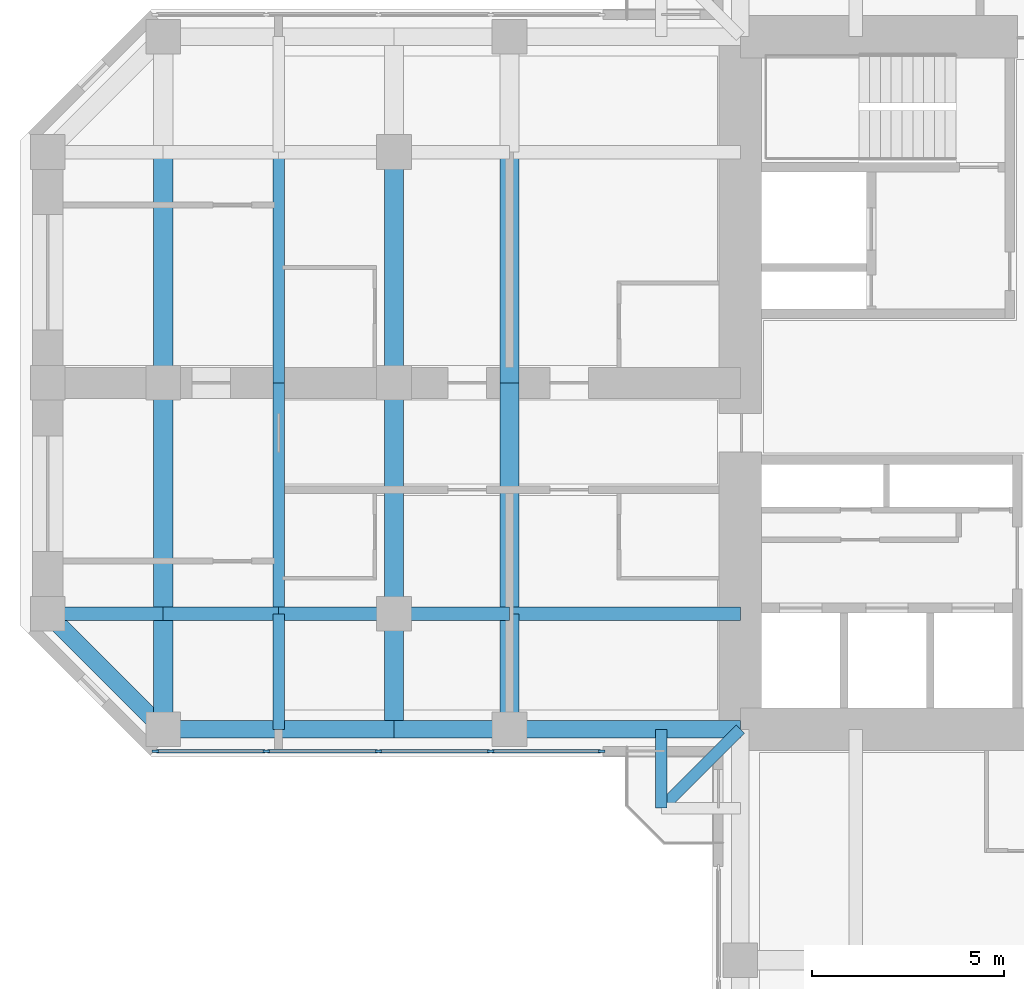
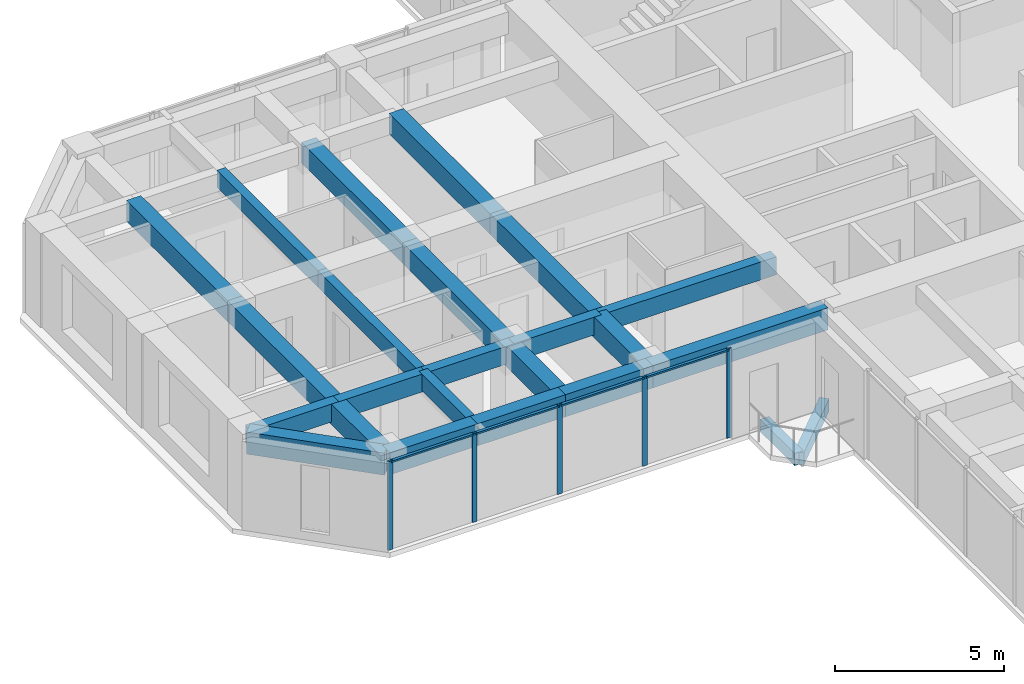
# One storey, part 3 of 13: 24 beams, 9 members, 1 element without a shape of its own.
"""IFC4 building model written with IfcOpenShell, lengths in metres."""

from ifc_helpers import new_model, si_unit, direction, frame, origin, origin_2d, place, context, subcontext, project, spatial, rectangle, extrude, material, material_profile, profile_set, type_object, element, aggregate, save


model = new_model("IFC4")

# Units and contexts
model_context = context("Model", 3, precision=1e-05, world=origin(), true_north=direction((0.0, 1.0)))
body_context = subcontext(model_context, "Body", "Model", "MODEL_VIEW")
ifc_project = project(units=[si_unit("LENGTHUNIT", "METRE"), si_unit("AREAUNIT", "SQUARE_METRE"), si_unit("VOLUMEUNIT", "CUBIC_METRE"), si_unit("PLANEANGLEUNIT", "RADIAN"), si_unit("MASSUNIT", "GRAM", prefix="KILO")], contexts=[model_context])

# Site, building, storey
site_placement = place(None, origin())
site = spatial("IfcSite", under=ifc_project, at=site_placement, CompositionType="ELEMENT")
building_placement = place(site_placement, origin())
building = spatial("IfcBuilding", under=site, at=building_placement, Name="Torre Cruceta", CompositionType="ELEMENT")
storey_placement = place(building_placement, frame((0.0, 0.0, 193.300048828125)))
storey = spatial("IfcBuildingStorey", under=building, at=storey_placement, Name="L48", CompositionType="ELEMENT", Elevation=193.300048828125)

# Beams
ifc_material_1 = material(Name="Concrete G60 (fck 60 MPa)", Category="concrete")
ifc_material_profile_1 = material_profile(ifc_material_1, rectangle(XDim=0.300048828125, YDim=0.449951171875, at=origin_2d()), Name="RC 300X450")
ifc_profile_set_1 = profile_set([ifc_material_profile_1], Name="Concrete G60 (fck 60 MPa)")
beam_type_1 = type_object("IfcBeamType", Name="BALCONY CANTILEVER BEAM RC 300X450", PredefinedType="BEAM", material=ifc_profile_set_1)
beam_1_placement = place(storey_placement, frame((-9.0, -9.0, -0.405029296875), z_axis=(-0.707106781187, -0.707106781187, 0.0), x_axis=(0.707106781187, -0.707106781187, 0.0)))
element("IfcBeam", 1, at=beam_1_placement, inside=storey, type_object=beam_type_1, Name="BB1 balcony beam L48 W", PredefinedType="BEAM", context=body_context, shape_type="SweptSolid", body=[
    extrude(rectangle(XDim=0.300048828125, YDim=0.449951171875, at=origin_2d()), origin(), (0.0, 0.0, 1.0), 2.89990234375),
])
beam_2_placement = place(storey_placement, frame((-11.050537109375, -9.0, -0.405029296875), z_axis=(0.0, -1.0, 0.0), x_axis=(1.0, 0.0, 0.0)))
element("IfcBeam", 2, at=beam_2_placement, inside=storey, type_object=beam_type_1, Name="BB1 balcony edge beam L48 W-X", PredefinedType="BEAM", context=body_context, shape_type="SweptSolid", body=[
    extrude(rectangle(XDim=0.300048828125, YDim=0.449951171875, at=origin_2d()), origin(), (0.0, 0.0, 1.0), 2.050537109375),
])
ifc_material_2 = material(Name="Concrete G60 (fck 60 MPa)", Category="concrete")
ifc_material_profile_2 = material_profile(ifc_material_2, rectangle(XDim=0.35009765625, YDim=0.64990234375, at=origin_2d()), Name="RC 350X650")
ifc_profile_set_2 = profile_set([ifc_material_profile_2], Name="Concrete G60 (fck 60 MPa)")
beam_type_2 = type_object("IfcBeamType", Name="COLUMN LINE BEAM RC 350X650", PredefinedType="BEAM", material=ifc_profile_set_2)
beam_3_placement = place(storey_placement, frame((-9.0, -6.0, 2.89501953125), z_axis=(-1.0, 0.0, 0.0), x_axis=(0.0, -1.0, 0.0)))
element("IfcBeam", 3, at=beam_3_placement, inside=storey, type_object=beam_type_2, Name="LB7 L48 W col+ 1", PredefinedType="BEAM", context=body_context, shape_type="SweptSolid", body=[
    extrude(rectangle(XDim=0.35009765625, YDim=0.64990234375, at=origin_2d()), origin(), (0.0, 0.0, 1.0), 6.0),
])
for number, where, z_axis, x_axis, name in (
    (4, (-15.0, -6.0, 2.89501953125), (-1.0, 0.0, 0.0), (0.0, -1.0, 0.0), "LB7 L48 W col+ 2"),
    (5, (-18.0, -6.0, 2.89501953125), (-1.0, 0.0, 0.0), (0.0, -1.0, 0.0), "LB7 L48 W col+ 3"),
    (6, (-21.0, -6.0, 2.89501953125), (-1.0, 0.0, 0.0), (0.0, -1.0, 0.0), "LB7 L48 W col+ 4"),
    (7, (-24.0, -6.0, 2.89501953125), (-1.0, 0.0, 0.0), (0.0, -1.0, 0.0), "LB7 L48 W col+ 5"),
):
    element("IfcBeam", number, at=place(storey_placement, frame(where, z_axis=z_axis, x_axis=x_axis)), inside=storey, type_object=beam_type_2, Name=name, PredefinedType="BEAM", context=body_context, shape_type="SweptSolid", body=[
        extrude(rectangle(XDim=0.35009765625, YDim=0.64990234375, at=origin_2d()), origin(), (0.0, 0.0, 1.0), 3.0),
    ])
ifc_material_3 = material(Name="Concrete G60 (fck 60 MPa)", Category="concrete")
ifc_material_profile_3 = material_profile(ifc_material_3, rectangle(XDim=0.5, YDim=0.75, at=origin_2d()), Name="RC 500X750")
ifc_profile_set_3 = profile_set([ifc_material_profile_3], Name="Concrete G60 (fck 60 MPa)")
beam_type_3 = type_object("IfcBeamType", Name="CROSS BEAM RC 500X750", PredefinedType="BEAM", material=ifc_profile_set_3)
for number, where, z_axis, x_axis, name in (
    (8, (-15.0, 6.0, 2.844970703125), (0.0, -1.0, 0.0), (1.0, 0.0, 0.0), "GB6 L48 W cross15 2"),
    (9, (-15.0, 0.0, 2.844970703125), (0.0, -1.0, 0.0), (1.0, 0.0, 0.0), "GB6 L48 W cross15 3"),
):
    element("IfcBeam", number, at=place(storey_placement, frame(where, z_axis=z_axis, x_axis=x_axis)), inside=storey, type_object=beam_type_3, Name=name, PredefinedType="BEAM", context=body_context, shape_type="SweptSolid", body=[
        extrude(rectangle(XDim=0.5, YDim=0.75, at=origin_2d()), origin(), (0.0, 0.0, 1.0), 6.0),
    ])
beam_4_placement = place(storey_placement, frame((-15.0, -6.0, 2.844970703125), z_axis=(0.0, -1.0, 0.0), x_axis=(1.0, 0.0, 0.0)))
element("IfcBeam", 10, at=beam_4_placement, inside=storey, type_object=beam_type_3, Name="GB6 L48 W cross15 4", PredefinedType="BEAM", context=body_context, shape_type="SweptSolid", body=[
    extrude(rectangle(XDim=0.5, YDim=0.75, at=origin_2d()), origin(), (0.0, 0.0, 1.0), 3.0),
])
for number, where, z_axis, x_axis, name in (
    (11, (-18.0, 6.0, 2.844970703125), (0.0, -1.0, 0.0), (1.0, 0.0, 0.0), "GB6 L48 W cross18 2"),
    (12, (-18.0, 0.0, 2.844970703125), (0.0, -1.0, 0.0), (1.0, 0.0, 0.0), "GB6 L48 W cross18 3"),
):
    element("IfcBeam", number, at=place(storey_placement, frame(where, z_axis=z_axis, x_axis=x_axis)), inside=storey, type_object=beam_type_3, Name=name, PredefinedType="BEAM", context=body_context, shape_type="SweptSolid", body=[
        extrude(rectangle(XDim=0.5, YDim=0.75, at=origin_2d()), origin(), (0.0, 0.0, 1.0), 6.0),
    ])
beam_5_placement = place(storey_placement, frame((-18.0, -6.0, 2.844970703125), z_axis=(0.0, -1.0, 0.0), x_axis=(1.0, 0.0, 0.0)))
element("IfcBeam", 13, at=beam_5_placement, inside=storey, type_object=beam_type_3, Name="GB6 L48 W cross18 4", PredefinedType="BEAM", context=body_context, shape_type="SweptSolid", body=[
    extrude(rectangle(XDim=0.5, YDim=0.75, at=origin_2d()), origin(), (0.0, 0.0, 1.0), 3.0),
])
for number, where, z_axis, x_axis, name in (
    (14, (-24.0, 6.0, 2.844970703125), (0.0, -1.0, 0.0), (1.0, 0.0, 0.0), "GB6 L48 W cross24 2"),
    (15, (-24.0, 0.0, 2.844970703125), (0.0, -1.0, 0.0), (1.0, 0.0, 0.0), "GB6 L48 W cross24 3"),
):
    element("IfcBeam", number, at=place(storey_placement, frame(where, z_axis=z_axis, x_axis=x_axis)), inside=storey, type_object=beam_type_3, Name=name, PredefinedType="BEAM", context=body_context, shape_type="SweptSolid", body=[
        extrude(rectangle(XDim=0.5, YDim=0.75, at=origin_2d()), origin(), (0.0, 0.0, 1.0), 6.0),
    ])
beam_6_placement = place(storey_placement, frame((-24.0, -6.0, 2.844970703125), z_axis=(0.0, -1.0, 0.0), x_axis=(1.0, 0.0, 0.0)))
element("IfcBeam", 16, at=beam_6_placement, inside=storey, type_object=beam_type_3, Name="GB6 L48 W cross24 4", PredefinedType="BEAM", context=body_context, shape_type="SweptSolid", body=[
    extrude(rectangle(XDim=0.5, YDim=0.75, at=origin_2d()), origin(), (0.0, 0.0, 1.0), 3.0),
])

# Curtain wall, members
ifc_material_4 = material(Name="Aluminium unitised curtain wall", Category="aluminium")
curtain_wall_type = type_object("IfcCurtainWallType", Name="CURTAIN WALL CW-C CO-LIVING", PredefinedType="USERDEFINED", material=ifc_material_4)
curtain_wall_placement = place(storey_placement, origin())
curtain_wall = element("IfcCurtainWall", 17, at=curtain_wall_placement, inside=storey, type_object=curtain_wall_type, Name="CW-C L48 W side 14", ObjectType="UNITISED", PredefinedType="USERDEFINED")
ifc_material_5 = material(Name="Aluminium mullion", Category="aluminium")
ifc_material_profile_4 = material_profile(ifc_material_5, rectangle(XDim=0.06005859375, YDim=0.159912109375, at=origin_2d()), Name="AL 60X160")
ifc_profile_set_4 = profile_set([ifc_material_profile_4], Name="Aluminium mullion")
member_type_1 = type_object("IfcMemberType", Name="CW-C MULLION 60X160", PredefinedType="MULLION", material=ifc_profile_set_4)
member_1_placement = place(storey_placement, frame((-24.2060546875, -9.570068359375, 0.0), z_axis=(0.0, 0.0, 1.0), x_axis=(0.0, 1.0, 0.0)))
member_1 = element("IfcMember", 18, at=member_1_placement, type_object=member_type_1, Name="CW-C mullion 1", PredefinedType="MULLION", context=body_context, shape_type="SweptSolid", body=[
    extrude(rectangle(XDim=0.06005859375, YDim=0.159912109375, at=origin_2d()), origin(), (0.0, 0.0, 1.0), 3.219970703125),
])
member_2_placement = place(storey_placement, frame((-21.319580078125, -9.570068359375, 0.0), z_axis=(0.0, 0.0, 1.0), x_axis=(0.0, 1.0, 0.0)))
member_2 = element("IfcMember", 19, at=member_2_placement, type_object=member_type_1, Name="CW-C mullion 2", PredefinedType="MULLION", context=body_context, shape_type="SweptSolid", body=[
    extrude(rectangle(XDim=0.06005859375, YDim=0.159912109375, at=origin_2d()), origin(), (0.0, 0.0, 1.0), 3.219970703125),
])
member_3_placement = place(storey_placement, frame((-18.403076171875, -9.570068359375, 0.0), z_axis=(0.0, 0.0, 1.0), x_axis=(0.0, 1.0, 0.0)))
member_3 = element("IfcMember", 20, at=member_3_placement, type_object=member_type_1, Name="CW-C mullion 3", PredefinedType="MULLION", context=body_context, shape_type="SweptSolid", body=[
    extrude(rectangle(XDim=0.06005859375, YDim=0.159912109375, at=origin_2d()), origin(), (0.0, 0.0, 1.0), 3.219970703125),
])
member_4_placement = place(storey_placement, frame((-15.486572265625, -9.570068359375, 0.0), z_axis=(0.0, 0.0, 1.0), x_axis=(0.0, 1.0, 0.0)))
member_4 = element("IfcMember", 21, at=member_4_placement, type_object=member_type_1, Name="CW-C mullion 4", PredefinedType="MULLION", context=body_context, shape_type="SweptSolid", body=[
    extrude(rectangle(XDim=0.06005859375, YDim=0.159912109375, at=origin_2d()), origin(), (0.0, 0.0, 1.0), 3.219970703125),
])
member_5_placement = place(storey_placement, frame((-12.60009765625, -9.570068359375, 0.0), z_axis=(0.0, 0.0, 1.0), x_axis=(0.0, 1.0, 0.0)))
member_5 = element("IfcMember", 22, at=member_5_placement, type_object=member_type_1, Name="CW-C mullion 5", PredefinedType="MULLION", context=body_context, shape_type="SweptSolid", body=[
    extrude(rectangle(XDim=0.06005859375, YDim=0.159912109375, at=origin_2d()), origin(), (0.0, 0.0, 1.0), 3.219970703125),
])
ifc_material_6 = material(Name="Aluminium transom", Category="aluminium")
ifc_material_profile_5 = material_profile(ifc_material_6, rectangle(XDim=0.10009765625, YDim=0.06005859375, at=origin_2d()), Name="AL 100X60")
ifc_profile_set_5 = profile_set([ifc_material_profile_5], Name="Aluminium transom")
member_type_2 = type_object("IfcMemberType", Name="CW-C TRANSOM 60X100", PredefinedType="USERDEFINED", material=ifc_profile_set_5)
member_6_placement = place(storey_placement, frame((-24.176025390625, -9.570068359375, 3.18994140625), z_axis=(1.0, 0.0, 0.0), x_axis=(0.0, 1.0, 0.0)))
member_6 = element("IfcMember", 23, at=member_6_placement, type_object=member_type_2, Name="CW-C transom 1", ObjectType="TRANSOM", PredefinedType="USERDEFINED", context=body_context, shape_type="SweptSolid", body=[
    extrude(rectangle(XDim=0.10009765625, YDim=0.06005859375, at=origin_2d()), origin(), (0.0, 0.0, 1.0), 2.826416015625),
])
member_7_placement = place(storey_placement, frame((-21.28955078125, -9.570068359375, 3.18994140625), z_axis=(1.0, 0.0, 0.0), x_axis=(0.0, 1.0, 0.0)))
member_7 = element("IfcMember", 24, at=member_7_placement, type_object=member_type_2, Name="CW-C transom 2", ObjectType="TRANSOM", PredefinedType="USERDEFINED", context=body_context, shape_type="SweptSolid", body=[
    extrude(rectangle(XDim=0.10009765625, YDim=0.06005859375, at=origin_2d()), origin(), (0.0, 0.0, 1.0), 2.8564453125),
])
member_8_placement = place(storey_placement, frame((-18.373046875, -9.570068359375, 3.18994140625), z_axis=(1.0, 0.0, 0.0), x_axis=(0.0, 1.0, 0.0)))
member_8 = element("IfcMember", 25, at=member_8_placement, type_object=member_type_2, Name="CW-C transom 3", ObjectType="TRANSOM", PredefinedType="USERDEFINED", context=body_context, shape_type="SweptSolid", body=[
    extrude(rectangle(XDim=0.10009765625, YDim=0.06005859375, at=origin_2d()), origin(), (0.0, 0.0, 1.0), 2.8564453125),
])
member_9_placement = place(storey_placement, frame((-15.45654296875, -9.570068359375, 3.18994140625), z_axis=(1.0, 0.0, 0.0), x_axis=(0.0, 1.0, 0.0)))
member_9 = element("IfcMember", 26, at=member_9_placement, type_object=member_type_2, Name="CW-C transom 4", ObjectType="TRANSOM", PredefinedType="USERDEFINED", context=body_context, shape_type="SweptSolid", body=[
    extrude(rectangle(XDim=0.10009765625, YDim=0.06005859375, at=origin_2d()), origin(), (0.0, 0.0, 1.0), 2.82666015625),
])
aggregate(curtain_wall, [member_1, member_2, member_3, member_4, member_5, member_6, member_7, member_8, member_9])

# Beams
ifc_material_7 = material(Name="Concrete G60 (fck 60 MPa)", Category="concrete")
ifc_material_profile_6 = material_profile(ifc_material_7, rectangle(XDim=0.300048828125, YDim=0.60009765625, at=origin_2d()), Name="RC 300X600")
ifc_profile_set_6 = profile_set([ifc_material_profile_6], Name="Concrete G60 (fck 60 MPa)")
beam_type_4 = type_object("IfcBeamType", Name="SECONDARY BEAM RC 300X600", PredefinedType="JOIST", material=ifc_profile_set_6)
for number, where, z_axis, x_axis, name in (
    (27, (-21.0, 6.0, 2.919921875), (0.0, -1.0, 0.0), (1.0, 0.0, 0.0), "JB6 L48 W sec21 2"),
    (28, (-21.0, 0.0, 2.919921875), (0.0, -1.0, 0.0), (1.0, 0.0, 0.0), "JB6 L48 W sec21 3"),
):
    element("IfcBeam", number, at=place(storey_placement, frame(where, z_axis=z_axis, x_axis=x_axis)), inside=storey, type_object=beam_type_4, Name=name, PredefinedType="JOIST", context=body_context, shape_type="SweptSolid", body=[
        extrude(rectangle(XDim=0.300048828125, YDim=0.60009765625, at=origin_2d()), origin(), (0.0, 0.0, 1.0), 6.0),
    ])
beam_7_placement = place(storey_placement, frame((-21.0, -6.0, 2.919921875), z_axis=(0.0, -1.0, 0.0), x_axis=(1.0, 0.0, 0.0)))
element("IfcBeam", 29, at=beam_7_placement, inside=storey, type_object=beam_type_4, Name="JB6 L48 W sec21 4", PredefinedType="JOIST", context=body_context, shape_type="SweptSolid", body=[
    extrude(rectangle(XDim=0.300048828125, YDim=0.60009765625, at=origin_2d()), origin(), (0.0, 0.0, 1.0), 3.0),
])
ifc_material_8 = material(Name="Concrete G60 (fck 60 MPa)", Category="concrete")
ifc_material_profile_7 = material_profile(ifc_material_8, rectangle(XDim=0.449951171875, YDim=0.800048828125, at=origin_2d()), Name="RC 450X800")
ifc_profile_set_7 = profile_set([ifc_material_profile_7], Name="Concrete G60 (fck 60 MPa)")
beam_type_5 = type_object("IfcBeamType", Name="SPANDREL BEAM RC 450X800", PredefinedType="SPANDREL", material=ifc_profile_set_7)
beam_8_placement = place(storey_placement, frame((-9.0, -9.0, 2.820068359375), z_axis=(-1.0, 0.0, 0.0), x_axis=(0.0, -1.0, 0.0)))
element("IfcBeam", 30, at=beam_8_placement, inside=storey, type_object=beam_type_5, Name="SB6 L48 W side+ 1", PredefinedType="SPANDREL", context=body_context, shape_type="SweptSolid", body=[
    extrude(rectangle(XDim=0.449951171875, YDim=0.800048828125, at=origin_2d()), origin(), (0.0, 0.0, 1.0), 6.0),
])
for number, where, z_axis, x_axis, name in (
    (31, (-15.0, -9.0, 2.820068359375), (-1.0, 0.0, 0.0), (0.0, -1.0, 0.0), "SB6 L48 W side+ 2"),
    (32, (-18.0, -9.0, 2.820068359375), (-1.0, 0.0, 0.0), (0.0, -1.0, 0.0), "SB6 L48 W side+ 3"),
    (33, (-21.0, -9.0, 2.820068359375), (-1.0, 0.0, 0.0), (0.0, -1.0, 0.0), "SB6 L48 W side+ 4"),
):
    element("IfcBeam", number, at=place(storey_placement, frame(where, z_axis=z_axis, x_axis=x_axis)), inside=storey, type_object=beam_type_5, Name=name, PredefinedType="SPANDREL", context=body_context, shape_type="SweptSolid", body=[
        extrude(rectangle(XDim=0.449951171875, YDim=0.800048828125, at=origin_2d()), origin(), (0.0, 0.0, 1.0), 3.0),
    ])
beam_9_placement = place(storey_placement, frame((-24.0, -9.0, 2.820068359375), z_axis=(-0.707106781187, 0.707106781187, 0.0), x_axis=(-0.707106781187, -0.707106781187, 0.0)))
element("IfcBeam", 34, at=beam_9_placement, inside=storey, type_object=beam_type_5, Name="SB6 L48 W side+ 5", PredefinedType="SPANDREL", context=body_context, shape_type="SweptSolid", body=[
    extrude(rectangle(XDim=0.449951171875, YDim=0.800048828125, at=origin_2d()), origin(), (0.0, 0.0, 1.0), 4.24267578125),
])

save(model, "model.ifc")
